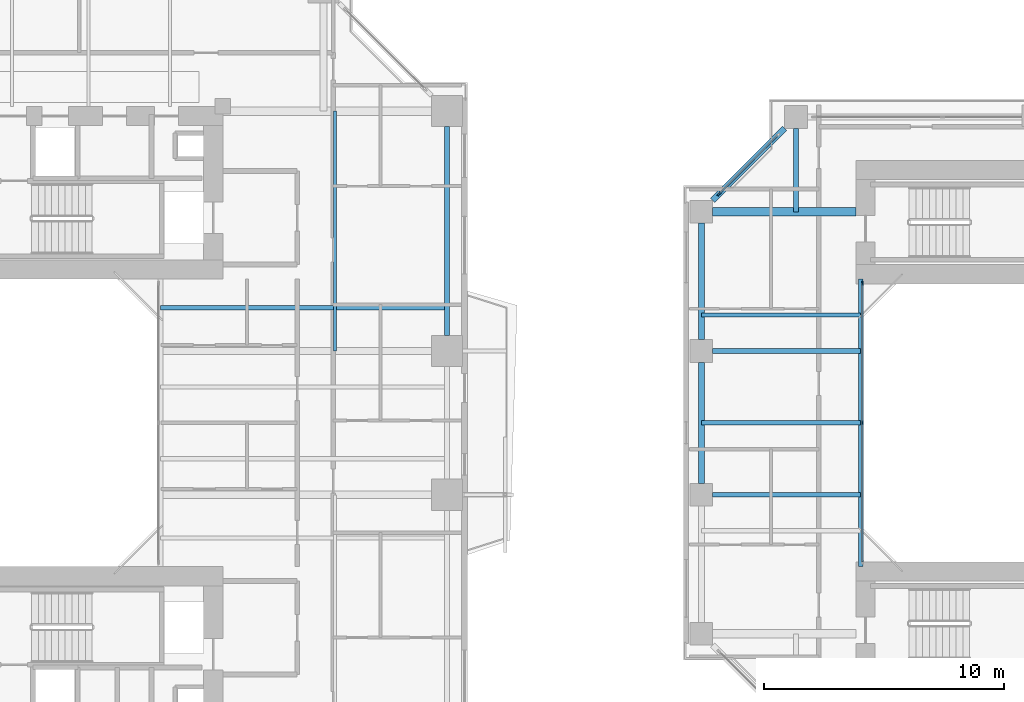
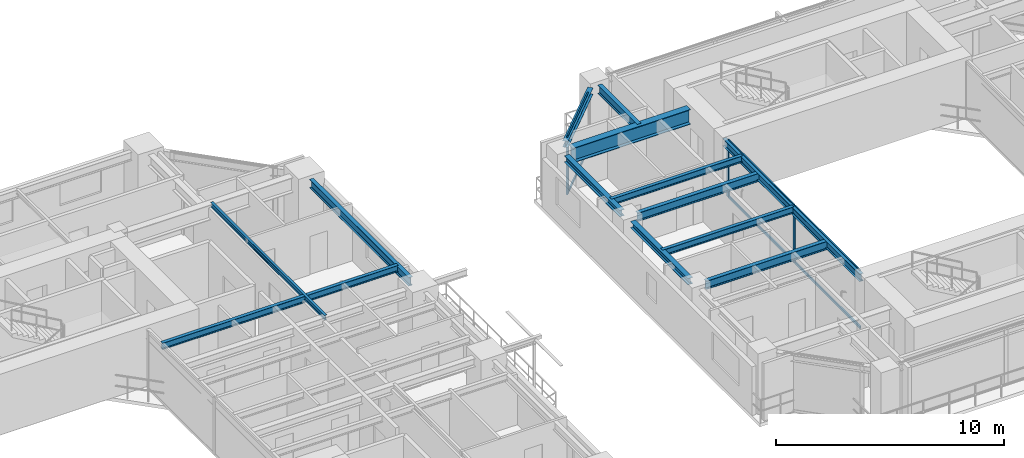
# One storey, part 8 of 24: 13 beams, 9 members, 2 elements without a shape of their own.
"""IFC4 building model written with IfcOpenShell, lengths in metres."""

from ifc_helpers import new_model, si_unit, direction, frame, origin, origin_2d, place, context, subcontext, project, spatial, rectangle, i_section, extrude, source, transform, mapped, material, layer, layer_set, material_profile, profile_set, type_object, element, aggregate, save


model = new_model("IFC4")

# Units and contexts
model_context = context("Model", 3, precision=1e-05, world=origin(), true_north=direction((0.0, 1.0)))
body_context = subcontext(model_context, "Body", "Model", "MODEL_VIEW")
ifc_project = project(units=[si_unit("LENGTHUNIT", "METRE"), si_unit("AREAUNIT", "SQUARE_METRE"), si_unit("VOLUMEUNIT", "CUBIC_METRE"), si_unit("PLANEANGLEUNIT", "RADIAN"), si_unit("MASSUNIT", "GRAM", prefix="KILO"), si_unit("THERMODYNAMICTEMPERATUREUNIT", "KELVIN"), si_unit("POWERUNIT", "WATT")], contexts=[model_context])

# Site, building, storey
site_placement = place(None, origin())
site = spatial("IfcSite", under=ifc_project, at=site_placement, CompositionType="ELEMENT")
building_placement = place(site_placement, origin())
building = spatial("IfcBuilding", under=site, at=building_placement, Name="Qiaomeng Ring Towers", CompositionType="ELEMENT")
storey_placement = place(building_placement, frame((0.0, 0.0, 56.75)))
storey = spatial("IfcBuildingStorey", under=building, at=storey_placement, Name="L15", CompositionType="ELEMENT", Elevation=56.75)

# Beams
ifc_material_1 = material(Name="Steel Q355B", Category="steel")
ifc_material_profile_1 = material_profile(ifc_material_1, i_section(OverallWidth=0.199951171875, OverallDepth=0.449951171875, WebThickness=0.009033203125, FlangeThickness=0.013916015625, FilletRadius=0.01806640625, at=origin_2d()), Name="HN 450x200x9x14")
ifc_profile_set_1 = profile_set([ifc_material_profile_1], Name="Steel Q355B")
beam_type_1 = type_object("IfcBeamType", Name="STR-BM-HN450", PredefinedType="SPANDREL", material=ifc_profile_set_1)
shared_shape_1 = source(origin(), body_context, "Body", "SweptSolid", [
    extrude(i_section(OverallWidth=0.199951171875, OverallDepth=0.449951171875, WebThickness=0.009033203125, FlangeThickness=0.013916015625, FilletRadius=0.01806640625, at=origin_2d()), origin(), (0.0, 0.0, 1.0), 8.7021484375),
])
beam_1_placement = place(storey_placement, frame((37.14990234375, 26.64892578125, 2.844970703125), z_axis=(0.0, 1.0, 0.0), x_axis=(-1.0, 0.0, 0.0)))
element("IfcBeam", 1, at=beam_1_placement, inside=storey, type_object=beam_type_1, Name="L15 beam STR-SP-L15-T1-E3-E4", PredefinedType="SPANDREL", context=body_context, shape_type="MappedRepresentation", body=[
    mapped(shared_shape_1, transform((0.0, 0.0, 0.0), x_axis=(1.0, 0.0, 0.0), y_axis=(0.0, 1.0, 0.0), z_axis=(0.0, 0.0, 1.0), scale=1.0)),
])
ifc_material_profile_2 = material_profile(ifc_material_1, i_section(OverallWidth=0.25, OverallDepth=0.340087890625, WebThickness=0.009033203125, FlangeThickness=0.013916015625, FilletRadius=0.02001953125, at=origin_2d()), Name="HM 340x250x9x14")
ifc_profile_set_2 = profile_set([ifc_material_profile_2], Name="Steel Q355B")
beam_type_2 = type_object("IfcBeamType", Name="STR-BM-HM340", PredefinedType="SPANDREL", material=ifc_profile_set_2)
shared_shape_2 = source(origin(), body_context, "Body", "SweptSolid", [
    extrude(i_section(OverallWidth=0.25, OverallDepth=0.340087890625, WebThickness=0.009033203125, FlangeThickness=0.013916015625, FilletRadius=0.02001953125, at=origin_2d()), origin(), (0.0, 0.0, 1.0), 4.244384765625),
])
beam_2_placement = place(storey_placement, frame((51.2255859375, 35.275634765625, 2.89990234375), z_axis=(-0.707106781187, -0.707106781187, 0.0), x_axis=(0.707106781187, -0.707106781187, 0.0)))
element("IfcBeam", 2, at=beam_2_placement, inside=storey, type_object=beam_type_2, Name="L15 beam STR-SP-L15-T2-N1-W4", PredefinedType="SPANDREL", context=body_context, shape_type="MappedRepresentation", body=[
    mapped(shared_shape_2, transform((0.0, 0.0, 0.0), x_axis=(1.0, 0.0, 0.0), y_axis=(0.0, 1.0, 0.0), z_axis=(0.0, 0.0, 1.0), scale=1.0)),
])
shared_shape_3 = source(origin(), body_context, "Body", "SweptSolid", [
    extrude(i_section(OverallWidth=0.25, OverallDepth=0.340087890625, WebThickness=0.009033203125, FlangeThickness=0.013916015625, FilletRadius=0.02001953125, at=origin_2d()), origin(), (0.0, 0.0, 1.0), 4.851806640625),
])
beam_3_placement = place(storey_placement, frame((47.75, 31.325927734375, 2.89990234375), z_axis=(0.0, -1.0, 0.0), x_axis=(1.0, 0.0, 0.0)))
element("IfcBeam", 3, at=beam_3_placement, inside=storey, type_object=beam_type_2, Name="L15 beam STR-SP-L15-T2-W4-W3", PredefinedType="SPANDREL", context=body_context, shape_type="MappedRepresentation", body=[
    mapped(shared_shape_3, transform((0.0, 0.0, 0.0), x_axis=(1.0, 0.0, 0.0), y_axis=(0.0, 1.0, 0.0), z_axis=(0.0, 0.0, 1.0), scale=1.0)),
])
shared_shape_4 = source(origin(), body_context, "Body", "SweptSolid", [
    extrude(i_section(OverallWidth=0.25, OverallDepth=0.340087890625, WebThickness=0.009033203125, FlangeThickness=0.013916015625, FilletRadius=0.02001953125, at=origin_2d()), origin(), (0.0, 0.0, 1.0), 5.0517578125),
])
beam_4_placement = place(storey_placement, frame((47.75, 25.52587890625, 2.89990234375), z_axis=(0.0, -1.0, 0.0), x_axis=(1.0, 0.0, 0.0)))
element("IfcBeam", 4, at=beam_4_placement, inside=storey, type_object=beam_type_2, Name="L15 beam STR-SP-L15-T2-W3-W2", PredefinedType="SPANDREL", context=body_context, shape_type="MappedRepresentation", body=[
    mapped(shared_shape_4, transform((0.0, 0.0, 0.0), x_axis=(1.0, 0.0, 0.0), y_axis=(0.0, 1.0, 0.0), z_axis=(0.0, 0.0, 1.0), scale=1.0)),
])
ifc_material_profile_3 = material_profile(ifc_material_1, i_section(OverallWidth=0.199951171875, OverallDepth=0.39990234375, WebThickness=0.008056640625, FlangeThickness=0.012939453125, FilletRadius=0.01611328125, at=origin_2d()), Name="HN 400x200x8x13")
ifc_profile_set_3 = profile_set([ifc_material_profile_3], Name="Steel Q355B")
beam_type_3 = type_object("IfcBeamType", Name="STR-BM-HN400", PredefinedType="SPANDREL", material=ifc_profile_set_3)
shared_shape_5 = source(origin(), body_context, "Body", "SweptSolid", [
    extrude(i_section(OverallWidth=0.199951171875, OverallDepth=0.39990234375, WebThickness=0.008056640625, FlangeThickness=0.012939453125, FilletRadius=0.01611328125, at=origin_2d()), origin(), (0.0, 0.0, 1.0), 12.0),
])
beam_5_placement = place(storey_placement, frame((54.39990234375, 17.0, 2.8701171875), z_axis=(0.0, 1.0, 0.0), x_axis=(-1.0, 0.0, 0.0)))
element("IfcBeam", 5, at=beam_5_placement, inside=storey, type_object=beam_type_3, Name="L15 beam STR-BM-L15-T2-WELL-W", PredefinedType="SPANDREL", context=body_context, shape_type="MappedRepresentation", body=[
    mapped(shared_shape_5, transform((0.0, 0.0, 0.0), x_axis=(1.0, 0.0, 0.0), y_axis=(0.0, 1.0, 0.0), z_axis=(0.0, 0.0, 1.0), scale=1.0)),
])
ifc_material_2 = material(Name="Steel Q390GJC", Category="steel")
ifc_material_profile_4 = material_profile(ifc_material_2, i_section(OverallWidth=0.35009765625, OverallDepth=0.800048828125, WebThickness=0.01611328125, FlangeThickness=0.028076171875, at=origin_2d()), Name="WH 800x350x16x28")
ifc_profile_set_4 = profile_set([ifc_material_profile_4], Name="Steel Q390GJC")
beam_type_4 = type_object("IfcBeamType", Name="STR-BM-WH800", PredefinedType="BEAM", material=ifc_profile_set_4)
shared_shape_6 = source(origin(), body_context, "Body", "SweptSolid", [
    extrude(i_section(OverallWidth=0.35009765625, OverallDepth=0.800048828125, WebThickness=0.01611328125, FlangeThickness=0.028076171875, at=origin_2d()), origin(), (0.0, 0.0, 1.0), 5.975830078125),
])
beam_6_placement = place(storey_placement, frame((48.22412109375, 31.800048828125, 2.669921875), z_axis=(1.0, 0.0, 0.0), x_axis=(0.0, 1.0, 0.0)))
element("IfcBeam", 6, at=beam_6_placement, inside=storey, type_object=beam_type_4, Name="L15 beam STR-BM-L15-T2-RAD-W4", PredefinedType="BEAM", context=body_context, shape_type="MappedRepresentation", body=[
    mapped(shared_shape_6, transform((0.0, 0.0, 0.0), x_axis=(1.0, 0.0, 0.0), y_axis=(0.0, 1.0, 0.0), z_axis=(0.0, 0.0, 1.0), scale=1.0)),
])
shared_shape_7 = source(origin(), body_context, "Body", "SweptSolid", [
    extrude(i_section(OverallWidth=0.199951171875, OverallDepth=0.449951171875, WebThickness=0.009033203125, FlangeThickness=0.013916015625, FilletRadius=0.01806640625, at=origin_2d()), origin(), (0.0, 0.0, 1.0), 6.17578125),
])
for number, where, z_axis, x_axis, name in (
    (7, (48.22412109375, 20.0, 2.844970703125), (1.0, 0.0, 0.0), (0.0, 1.0, 0.0), "L15 beam STR-BM-L15-T2-RAD-W2"),
    (8, (48.22412109375, 26.0, 2.844970703125), (1.0, 0.0, 0.0), (0.0, 1.0, 0.0), "L15 beam STR-BM-L15-T2-RAD-W3"),
):
    element("IfcBeam", number, at=place(storey_placement, frame(where, z_axis=z_axis, x_axis=x_axis)), inside=storey, type_object=beam_type_1, Name=name, PredefinedType="SPANDREL", context=body_context, shape_type="MappedRepresentation", body=[
        mapped(shared_shape_7, transform((0.0, 0.0, 0.0), x_axis=(1.0, 0.0, 0.0), y_axis=(0.0, 1.0, 0.0), z_axis=(0.0, 0.0, 1.0), scale=1.0)),
    ])
shared_shape_8 = source(origin(), body_context, "Body", "SweptSolid", [
    extrude(i_section(OverallWidth=0.199951171875, OverallDepth=0.449951171875, WebThickness=0.009033203125, FlangeThickness=0.013916015625, FilletRadius=0.01806640625, at=origin_2d()), origin(), (0.0, 0.0, 1.0), 3.475830078125),
])
beam_7_placement = place(storey_placement, frame((51.699951171875, 35.27587890625, 2.844970703125), z_axis=(0.0, -1.0, 0.0), x_axis=(1.0, 0.0, 0.0)))
element("IfcBeam", 9, at=beam_7_placement, inside=storey, type_object=beam_type_1, Name="L15 beam STR-BM-L15-T2-RAD-N1", PredefinedType="SPANDREL", context=body_context, shape_type="MappedRepresentation", body=[
    mapped(shared_shape_8, transform((0.0, 0.0, 0.0), x_axis=(1.0, 0.0, 0.0), y_axis=(0.0, 1.0, 0.0), z_axis=(0.0, 0.0, 1.0), scale=1.0)),
])
ifc_material_profile_5 = material_profile(ifc_material_1, i_section(OverallWidth=0.175048828125, OverallDepth=0.35009765625, WebThickness=0.007080078125, FlangeThickness=0.010986328125, FilletRadius=0.013916015625, at=origin_2d()), Name="HN 350x175x7x11")
ifc_profile_set_5 = profile_set([ifc_material_profile_5], Name="Steel Q355B")
beam_type_5 = type_object("IfcBeamType", Name="STR-BM-HN350", PredefinedType="JOIST", material=ifc_profile_set_5)
shared_shape_9 = source(origin(), body_context, "Body", "SweptSolid", [
    extrude(i_section(OverallWidth=0.175048828125, OverallDepth=0.35009765625, WebThickness=0.007080078125, FlangeThickness=0.010986328125, FilletRadius=0.013916015625, at=origin_2d()), origin(), (0.0, 0.0, 1.0), 11.949951171875),
])
beam_8_placement = place(storey_placement, frame((25.199951171875, 27.800048828125, 2.89501953125), z_axis=(1.0, 0.0, 0.0), x_axis=(0.0, 1.0, 0.0)))
element("IfcBeam", 10, at=beam_8_placement, inside=storey, type_object=beam_type_5, Name="L15 beam STR-JST-L15-T1E-4", PredefinedType="JOIST", context=body_context, shape_type="MappedRepresentation", body=[
    mapped(shared_shape_9, transform((0.0, 0.0, 0.0), x_axis=(1.0, 0.0, 0.0), y_axis=(0.0, 1.0, 0.0), z_axis=(0.0, 0.0, 1.0), scale=1.0)),
])
ifc_material_profile_6 = material_profile(ifc_material_1, i_section(OverallWidth=0.125, OverallDepth=0.25, WebThickness=0.006103515625, FlangeThickness=0.009033203125, FilletRadius=0.011962890625, at=origin_2d()), Name="HN 250x125x6x9")
ifc_profile_set_6 = profile_set([ifc_material_profile_6], Name="Steel Q355B")
beam_type_6 = type_object("IfcBeamType", Name="STR-BM-HN250", PredefinedType="JOIST", material=ifc_profile_set_6)
shared_shape_10 = source(origin(), body_context, "Body", "SweptSolid", [
    extrude(i_section(OverallWidth=0.125, OverallDepth=0.25, WebThickness=0.006103515625, FlangeThickness=0.009033203125, FilletRadius=0.011962890625, at=origin_2d()), origin(), (0.0, 0.0, 1.0), 10.0),
])
beam_9_placement = place(storey_placement, frame((32.47509765625, 26.0, 2.945068359375), z_axis=(0.0, 1.0, 0.0), x_axis=(-1.0, 0.0, 0.0)))
element("IfcBeam", 11, at=beam_9_placement, inside=storey, type_object=beam_type_6, Name="L15 beam STR-JST-L15-T1C-EN", PredefinedType="JOIST", context=body_context, shape_type="MappedRepresentation", body=[
    mapped(shared_shape_10, transform((0.0, 0.0, 0.0), x_axis=(1.0, 0.0, 0.0), y_axis=(0.0, 1.0, 0.0), z_axis=(0.0, 0.0, 1.0), scale=1.0)),
])
shared_shape_11 = source(origin(), body_context, "Body", "SweptSolid", [
    extrude(i_section(OverallWidth=0.175048828125, OverallDepth=0.35009765625, WebThickness=0.007080078125, FlangeThickness=0.010986328125, FilletRadius=0.013916015625, at=origin_2d()), origin(), (0.0, 0.0, 1.0), 6.64990234375),
])
for number, where, z_axis, x_axis, name in (
    (12, (47.75, 23.0, 2.89501953125), (1.0, 0.0, 0.0), (0.0, 1.0, 0.0), "L15 beam STR-JST-L15-T2W-2"),
    (13, (47.75, 27.5, 2.89501953125), (1.0, 0.0, 0.0), (0.0, 1.0, 0.0), "L15 beam STR-JST-L15-T2W-3"),
):
    element("IfcBeam", number, at=place(storey_placement, frame(where, z_axis=z_axis, x_axis=x_axis)), inside=storey, type_object=beam_type_5, Name=name, PredefinedType="JOIST", context=body_context, shape_type="MappedRepresentation", body=[
        mapped(shared_shape_11, transform((0.0, 0.0, 0.0), x_axis=(1.0, 0.0, 0.0), y_axis=(0.0, 1.0, 0.0), z_axis=(0.0, 0.0, 1.0), scale=1.0)),
    ])

# Curtain wall, members
ifc_material_3 = material(Name="Fluorocarbon dark-grey aluminium", Category="aluminium")
ifc_layer_1 = layer(ifc_material_3, 0.139892578125, Name="Fluorocarbon dark-grey aluminium")
ifc_layer_set_1 = layer_set([ifc_layer_1], Name="Fluorocarbon dark-grey aluminium")
curtain_wall_type_1 = type_object("IfcCurtainWallType", Name="ARC-CW-4", PredefinedType="NOTDEFINED", material=ifc_layer_set_1)
curtain_wall_1_placement = place(storey_placement, origin())
curtain_wall_1 = element("IfcCurtainWall", 14, at=curtain_wall_1_placement, inside=storey, type_object=curtain_wall_type_1, Name="L15 Curtain Wall CW4", PredefinedType="NOTDEFINED")
ifc_material_profile_7 = material_profile(ifc_material_3, rectangle(XDim=0.06494140625, YDim=0.159912109375, at=origin_2d()), Name="ALU MULL 65x160")
ifc_profile_set_7 = profile_set([ifc_material_profile_7], Name="Fluorocarbon dark-grey aluminium")
member_type_1 = type_object("IfcMemberType", Name="ARC-CWM-140", PredefinedType="MULLION", material=ifc_profile_set_7)
shared_shape_12 = source(origin(), body_context, "Body", "SweptSolid", [
    extrude(rectangle(XDim=0.06494140625, YDim=0.159912109375, at=origin_2d()), origin(), (0.0, 0.0, 1.0), 3.070068359375),
])
member_1_placement = place(storey_placement, frame((54.47998046875, 23.0, 0.0), z_axis=(0.0, 0.0, 1.0), x_axis=(-1.0, 0.0, 0.0)))
member_1 = element("IfcMember", 15, at=member_1_placement, type_object=member_type_1, Name="CW4 mullion 2", PredefinedType="MULLION", context=body_context, shape_type="MappedRepresentation", body=[
    mapped(shared_shape_12, transform((0.0, 0.0, 0.0), x_axis=(1.0, 0.0, 0.0), y_axis=(0.0, 1.0, 0.0), z_axis=(0.0, 0.0, 1.0), scale=1.0)),
])
member_2_placement = place(storey_placement, frame((54.47998046875, 28.8173828125, 0.0), z_axis=(0.0, 0.0, 1.0), x_axis=(-1.0, 0.0, 0.0)))
member_2 = element("IfcMember", 16, at=member_2_placement, type_object=member_type_1, Name="CW4 mullion 3", PredefinedType="MULLION", context=body_context, shape_type="MappedRepresentation", body=[
    mapped(shared_shape_12, transform((0.0, 0.0, 0.0), x_axis=(1.0, 0.0, 0.0), y_axis=(0.0, 1.0, 0.0), z_axis=(0.0, 0.0, 1.0), scale=1.0)),
])
ifc_material_profile_8 = material_profile(ifc_material_3, rectangle(XDim=0.06494140625, YDim=0.1298828125, at=origin_2d()), Name="ALU TRAN 65x130")
ifc_profile_set_8 = profile_set([ifc_material_profile_8], Name="Fluorocarbon dark-grey aluminium")
member_type_2 = type_object("IfcMemberType", Name="ARC-CWT-120", PredefinedType="USERDEFINED", material=ifc_profile_set_8)
shared_shape_13 = source(origin(), body_context, "Body", "SweptSolid", [
    extrude(rectangle(XDim=0.06494140625, YDim=0.1298828125, at=origin_2d()), origin(), (0.0, 0.0, 1.0), 5.75244140625),
])
member_3_placement = place(storey_placement, frame((54.47998046875, 17.215087890625, 0.032470703125), z_axis=(0.0, 1.0, 0.0), x_axis=(-1.0, 0.0, 0.0)))
member_3 = element("IfcMember", 17, at=member_3_placement, type_object=member_type_2, Name="CW4 transom 1.1", ObjectType="TRANSOM", PredefinedType="USERDEFINED", context=body_context, shape_type="MappedRepresentation", body=[
    mapped(shared_shape_13, transform((0.0, 0.0, 0.0), x_axis=(1.0, 0.0, 0.0), y_axis=(0.0, 1.0, 0.0), z_axis=(0.0, 0.0, 1.0), scale=1.0)),
])
member_4_placement = place(storey_placement, frame((54.47998046875, 17.215087890625, 3.03759765625), z_axis=(0.0, 1.0, 0.0), x_axis=(-1.0, 0.0, 0.0)))
member_4 = element("IfcMember", 18, at=member_4_placement, type_object=member_type_2, Name="CW4 transom 1.2", ObjectType="TRANSOM", PredefinedType="USERDEFINED", context=body_context, shape_type="MappedRepresentation", body=[
    mapped(shared_shape_13, transform((0.0, 0.0, 0.0), x_axis=(1.0, 0.0, 0.0), y_axis=(0.0, 1.0, 0.0), z_axis=(0.0, 0.0, 1.0), scale=1.0)),
])
member_5_placement = place(storey_placement, frame((54.47998046875, 23.032470703125, 0.032470703125), z_axis=(0.0, 1.0, 0.0), x_axis=(-1.0, 0.0, 0.0)))
member_5 = element("IfcMember", 19, at=member_5_placement, type_object=member_type_2, Name="CW4 transom 2.1", ObjectType="TRANSOM", PredefinedType="USERDEFINED", context=body_context, shape_type="MappedRepresentation", body=[
    mapped(shared_shape_13, transform((0.0, 0.0, 0.0), x_axis=(1.0, 0.0, 0.0), y_axis=(0.0, 1.0, 0.0), z_axis=(0.0, 0.0, 1.0), scale=1.0)),
])
member_6_placement = place(storey_placement, frame((54.47998046875, 23.032470703125, 3.03759765625), z_axis=(0.0, 1.0, 0.0), x_axis=(-1.0, 0.0, 0.0)))
member_6 = element("IfcMember", 20, at=member_6_placement, type_object=member_type_2, Name="CW4 transom 2.2", ObjectType="TRANSOM", PredefinedType="USERDEFINED", context=body_context, shape_type="MappedRepresentation", body=[
    mapped(shared_shape_13, transform((0.0, 0.0, 0.0), x_axis=(1.0, 0.0, 0.0), y_axis=(0.0, 1.0, 0.0), z_axis=(0.0, 0.0, 1.0), scale=1.0)),
])
aggregate(curtain_wall_1, [member_1, member_2, member_3, member_4, member_5, member_6])

ifc_layer_2 = layer(ifc_material_3, 0.14990234375, Name="Fluorocarbon dark-grey aluminium")
ifc_layer_set_2 = layer_set([ifc_layer_2], Name="Fluorocarbon dark-grey aluminium")
curtain_wall_type_2 = type_object("IfcCurtainWallType", Name="ARC-CW-5", PredefinedType="NOTDEFINED", material=ifc_layer_set_2)
curtain_wall_2_placement = place(storey_placement, origin())
curtain_wall_2 = element("IfcCurtainWall", 21, at=curtain_wall_2_placement, inside=storey, type_object=curtain_wall_type_2, Name="L15 Curtain Wall CW5", PredefinedType="NOTDEFINED")
ifc_material_profile_9 = material_profile(ifc_material_3, rectangle(XDim=0.070068359375, YDim=0.179931640625, at=origin_2d()), Name="ALU MULL 70x180")
ifc_profile_set_9 = profile_set([ifc_material_profile_9], Name="Fluorocarbon dark-grey aluminium")
member_type_3 = type_object("IfcMemberType", Name="ARC-CWM-160", PredefinedType="MULLION", material=ifc_profile_set_9)
shared_shape_14 = source(origin(), body_context, "Body", "SweptSolid", [
    extrude(rectangle(XDim=0.070068359375, YDim=0.179931640625, at=origin_2d()), origin(), (0.0, 0.0, 1.0), 3.070068359375),
])
member_7_placement = place(storey_placement, frame((48.48974609375, 32.539794921875, 0.0), z_axis=(0.0, 0.0, 1.0), x_axis=(0.707106781187, -0.707106781187, 0.0)))
member_7 = element("IfcMember", 22, at=member_7_placement, type_object=member_type_3, Name="CW5 mullion 2", PredefinedType="MULLION", context=body_context, shape_type="MappedRepresentation", body=[
    mapped(shared_shape_14, transform((0.0, 0.0, 0.0), x_axis=(1.0, 0.0, 0.0), y_axis=(0.0, 1.0, 0.0), z_axis=(0.0, 0.0, 1.0), scale=1.0)),
])
shared_shape_15 = source(origin(), body_context, "Body", "SweptSolid", [
    extrude(rectangle(XDim=0.06494140625, YDim=0.1298828125, at=origin_2d()), origin(), (0.0, 0.0, 1.0), 3.424072265625),
])
member_8_placement = place(storey_placement, frame((50.935546875, 34.985595703125, 0.032470703125), z_axis=(-0.707106781187, -0.707106781187, 0.0), x_axis=(0.707106781187, -0.707106781187, 0.0)))
member_8 = element("IfcMember", 23, at=member_8_placement, type_object=member_type_2, Name="CW5 transom 1.1", ObjectType="TRANSOM", PredefinedType="USERDEFINED", context=body_context, shape_type="MappedRepresentation", body=[
    mapped(shared_shape_15, transform((0.0, 0.0, 0.0), x_axis=(1.0, 0.0, 0.0), y_axis=(0.0, 1.0, 0.0), z_axis=(0.0, 0.0, 1.0), scale=1.0)),
])
member_9_placement = place(storey_placement, frame((50.935546875, 34.985595703125, 3.03759765625), z_axis=(-0.707106781187, -0.707106781187, 0.0), x_axis=(0.707106781187, -0.707106781187, 0.0)))
member_9 = element("IfcMember", 24, at=member_9_placement, type_object=member_type_2, Name="CW5 transom 1.2", ObjectType="TRANSOM", PredefinedType="USERDEFINED", context=body_context, shape_type="MappedRepresentation", body=[
    mapped(shared_shape_15, transform((0.0, 0.0, 0.0), x_axis=(1.0, 0.0, 0.0), y_axis=(0.0, 1.0, 0.0), z_axis=(0.0, 0.0, 1.0), scale=1.0)),
])
aggregate(curtain_wall_2, [member_7, member_8, member_9])

save(model, "model.ifc")
